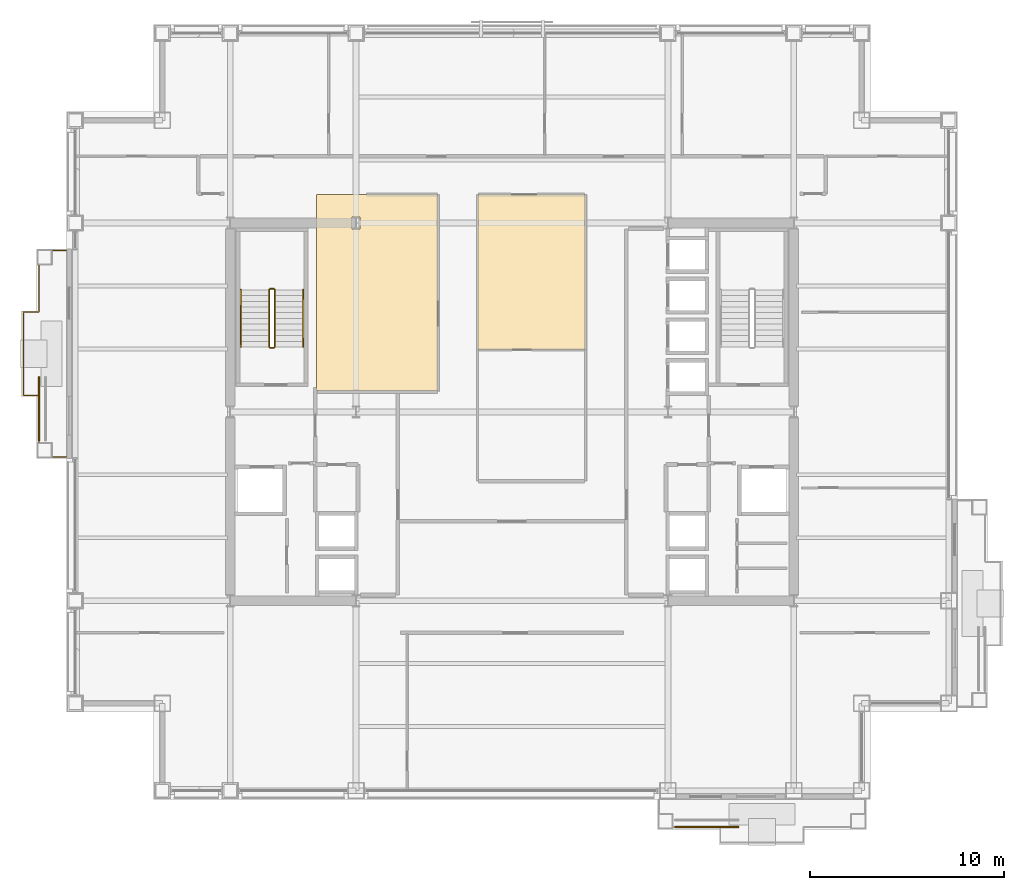
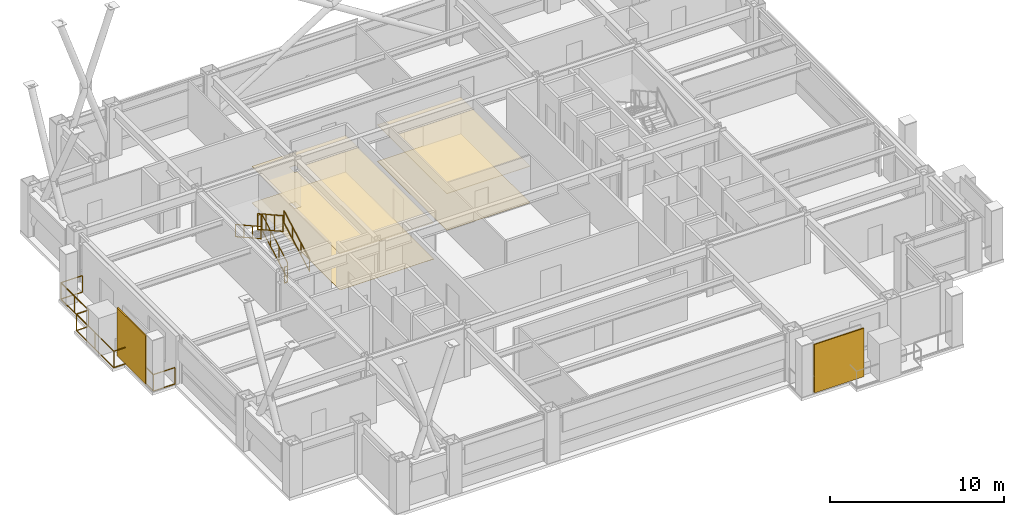
# One storey, part 30 of 32: 7 railings, 4 coverings, 2 shading devices.
"""IFC4 building model written with IfcOpenShell, lengths in metres."""

import ifcopenshell
import ifcopenshell.guid

model = None  # the IFC model being written
_history = None  # IfcOwnerHistory: only IFC2X3 demands one
_inside = {}  # id of a spatial element -> (the spatial element, [elements in it])
_under = {}  # id of a project, library or spatial element -> (it, [spatial elements below it])
_declared = {}  # id of a project -> (the project, [libraries it declares])
_typed = {}  # id of a type object -> (the type object, [elements of that type])
_made_of = {}  # id of a material, layer set ... -> (it, [elements and type objects made of it])


def new_model(schema):
    """Start an empty IFC model of exactly this schema.

    Asked for "IFC4X3", IfcOpenShell would pick the latest addendum, in which some entities
    have other attributes; the version numbers below select the first issue.
    IFC2X3 requires an IfcOwnerHistory on every rooted entity: one is made here for all.
    """
    global model, _history
    if schema == "IFC4X3":
        model = ifcopenshell.file(schema_version=(4, 3, 0, 0))
    else:
        model = ifcopenshell.file(schema=schema)
    _inside.clear()
    _under.clear()
    _declared.clear()
    _typed.clear()
    _made_of.clear()
    _history = None
    if model.schema == "IFC2X3":
        org = make("IfcOrganization", Name="unknown")
        user = make(
            "IfcPersonAndOrganization",
            ThePerson=make("IfcPerson", FamilyName="unknown"),
            TheOrganization=org,
        )
        app = make(
            "IfcApplication",
            ApplicationDeveloper=org,
            Version="unknown",
            ApplicationFullName="unknown",
            ApplicationIdentifier="unknown",
        )
        _history = make(
            "IfcOwnerHistory",
            OwningUser=user,
            OwningApplication=app,
            ChangeAction="ADDED",
            CreationDate=0,
        )
    return model


def make(cls, **values):
    """One entity of the class cls with the attributes given. An attribute that is None is left unset."""
    return model.create_entity(
        cls, **{name: value for name, value in values.items() if value is not None}
    )


def rooted(cls, **values):
    """An entity with a GlobalId (a new one), such as an element, a storey or a relation."""
    return make(cls, GlobalId=ifcopenshell.guid.new(), OwnerHistory=_history, **values)


def si_unit(unit_type, name, prefix=None):
    """IfcSIUnit, for example si_unit("LENGTHUNIT", "METRE", prefix="MILLI")."""
    return make("IfcSIUnit", UnitType=unit_type, Prefix=prefix, Name=name)


def assignment(units):
    """IfcUnitAssignment: the units of a project."""
    return None if units is None else make("IfcUnitAssignment", Units=units)


def point(xyz):
    """IfcCartesianPoint."""
    return None if xyz is None else make("IfcCartesianPoint", Coordinates=xyz)


def direction(xyz):
    """IfcDirection."""
    return None if xyz is None else make("IfcDirection", DirectionRatios=xyz)


def frame(location, z_axis=None, x_axis=None):
    """IfcAxis2Placement3D, a coordinate frame: its origin and axes. An axis left out is left unset."""
    return make(
        "IfcAxis2Placement3D",
        Location=point(location),
        Axis=direction(z_axis),
        RefDirection=direction(x_axis),
    )


def frame_2d(location, x_axis=None):
    """IfcAxis2Placement2D, a coordinate frame in the plane: its origin and x axis."""
    return make(
        "IfcAxis2Placement2D", Location=point(location), RefDirection=direction(x_axis)
    )


def origin():
    """The frame at (0, 0, 0) with its axes left unset."""
    return frame((0.0, 0.0, 0.0))


def origin_2d():
    """The frame at (0, 0) in the plane with its x axis left unset."""
    return frame_2d((0.0, 0.0))


def place(relative_to, where):
    """IfcLocalPlacement: puts the frame where relative to a parent placement (None: the world)."""
    return make(
        "IfcLocalPlacement", PlacementRelTo=relative_to, RelativePlacement=where
    )


def context(
    kind, dimensions, precision=None, world=None, true_north=None, identifier=None
):
    """IfcGeometricRepresentationContext, for example the 3D "Model" context."""
    return make(
        "IfcGeometricRepresentationContext",
        ContextIdentifier=identifier,
        ContextType=kind,
        CoordinateSpaceDimension=dimensions,
        Precision=precision,
        WorldCoordinateSystem=world,
        TrueNorth=true_north,
    )


def subcontext(parent, identifier, kind, view, scale=None):
    """IfcGeometricRepresentationSubContext, for example "Body" below "Model"."""
    return make(
        "IfcGeometricRepresentationSubContext",
        ContextIdentifier=identifier,
        ContextType=kind,
        ParentContext=parent,
        TargetScale=scale,
        TargetView=view,
    )


def project(units=None, contexts=None):
    """IfcProject with its units and contexts."""
    return rooted(
        "IfcProject",
        Name="project",
        RepresentationContexts=contexts,
        UnitsInContext=assignment(units),
    )


def spatial(cls, under=None, at=None, **own):
    """A site, building, storey or space (cls), placed at a placement, below another one or the project."""
    s = rooted(cls, ObjectPlacement=at, **own)
    if under is not None:
        _under.setdefault(under.id(), (under, []))[1].append(s)
    return s


def polyline(points):
    """IfcPolyline through the points."""
    return make("IfcPolyline", Points=[point(p) for p in points])


def profile(cls, at=None, kind="AREA", **sizes):
    """A parametric profile (cls). Its sizes go by their IFC names, for example OverallWidth=200.0."""
    return make(cls, ProfileType=kind, Position=at, **sizes)


def rectangle(**sizes):
    """IfcRectangleProfileDef."""
    return profile("IfcRectangleProfileDef", **sizes)


def outline(outer, holes=None, kind="AREA"):
    """IfcArbitraryClosedProfileDef: a profile drawn as a closed curve; with holes, ...WithVoids."""
    if holes is None:
        return make("IfcArbitraryClosedProfileDef", ProfileType=kind, OuterCurve=outer)
    return make(
        "IfcArbitraryProfileDefWithVoids",
        ProfileType=kind,
        OuterCurve=outer,
        InnerCurves=holes,
    )


def extrude(swept, where, along, depth):
    """IfcExtrudedAreaSolid: the profile swept, set in the frame where, extruded along a direction by depth."""
    return make(
        "IfcExtrudedAreaSolid",
        SweptArea=swept,
        Position=where,
        ExtrudedDirection=direction(along),
        Depth=depth,
    )


def shape(context_of_items, identifier, shape_type, items):
    """IfcShapeRepresentation: the items that make up one representation, for example the "Body"."""
    return make(
        "IfcShapeRepresentation",
        ContextOfItems=context_of_items,
        RepresentationIdentifier=identifier,
        RepresentationType=shape_type,
        Items=items,
    )


def material(Name=None, Category=None):
    """IfcMaterial."""
    return make("IfcMaterial", Name=Name, Category=Category)


def layer(
    of_material, thickness, ventilated=None, Name=None, Category=None, Priority=None
):
    """IfcMaterialLayer: one layer of a wall or slab, of a material (None: an air gap)."""
    return make(
        "IfcMaterialLayer",
        Material=of_material,
        LayerThickness=thickness,
        IsVentilated=ventilated,
        Name=Name,
        Category=Category,
        Priority=Priority,
    )


def layer_set(layers, Name=None):
    """IfcMaterialLayerSet."""
    return make("IfcMaterialLayerSet", MaterialLayers=layers, LayerSetName=Name)


def made_of(thing, what):
    """Note that an element or type object is made of a material, layer set ...; save() writes the relation."""
    if what is not None:
        _made_of.setdefault(what.id(), (what, []))[1].append(thing)
    return thing


def type_object(cls, material=None, **own):
    """A type object (cls), such as IfcWallType, which elements share."""
    return made_of(rooted(cls, **own), material)


def element(
    cls,
    number,
    at=None,
    inside=None,
    cuts=None,
    type_object=None,
    material=None,
    context=None,
    identifier="Body",
    shape_type=None,
    held_by="IfcProductDefinitionShape",
    body=None,
    shapes=None,
    **own,
):
    """One element of the class cls, such as IfcWall. Its Tag is "e" and its number.

    at: its placement. inside: the storey or other place that contains it. cuts: it is an
    opening in that element (IfcRelVoidsElement). A single representation is given by context,
    identifier, shape_type and body (its items); several are given by shapes. held_by: the class
    of the entity that holds the representations. save() writes the other relations.
    """
    e = rooted(cls, Tag="e%d" % number, ObjectPlacement=at, **own)
    if body is not None:
        shapes = [shape(context, identifier, shape_type, body)]
    if shapes is not None:
        e.Representation = make(held_by, Representations=shapes)
    if inside is not None:
        _inside.setdefault(inside.id(), (inside, []))[1].append(e)
    if cuts is not None:
        rooted(
            "IfcRelVoidsElement", RelatingBuildingElement=cuts, RelatedOpeningElement=e
        )
    if type_object is not None:
        _typed.setdefault(type_object.id(), (type_object, []))[1].append(e)
    return made_of(e, material)


def aggregate(whole, parts):
    """IfcRelAggregates: a whole, such as a stair, and the parts it consists of."""
    return rooted("IfcRelAggregates", RelatingObject=whole, RelatedObjects=parts)


def save(model, path):
    """Write the relations noted so far, then the file.

    IfcRelAggregates (storeys below a building ...), IfcRelContainedInSpatialStructure (elements
    in a storey), IfcRelDefinesByType, IfcRelAssociatesMaterial and IfcRelDeclares: one each for
    every whole, place, type object, material and project.
    """
    for whole, parts in _under.values():
        aggregate(whole, parts)
    for where, things in _inside.values():
        rooted(
            "IfcRelContainedInSpatialStructure",
            RelatedElements=things,
            RelatingStructure=where,
        )
    for kind, things in _typed.values():
        rooted("IfcRelDefinesByType", RelatedObjects=things, RelatingType=kind)
    for what, things in _made_of.values():
        rooted("IfcRelAssociatesMaterial", RelatedObjects=things, RelatingMaterial=what)
    for by, libraries in _declared.values():
        rooted("IfcRelDeclares", RelatingContext=by, RelatedDefinitions=libraries)
    model.write(path)


model = new_model("IFC4")

# Units and contexts
model_context = context("Model", 3, precision=1e-05, world=origin(), true_north=direction((0.0, 1.0)))
body_context = subcontext(model_context, "Body", "Model", "MODEL_VIEW")
ifc_project = project(units=[si_unit("LENGTHUNIT", "METRE"), si_unit("AREAUNIT", "SQUARE_METRE"), si_unit("VOLUMEUNIT", "CUBIC_METRE"), si_unit("PLANEANGLEUNIT", "RADIAN"), si_unit("MASSUNIT", "GRAM", prefix="KILO")], contexts=[model_context])

# Site, building, storey
site_placement = place(None, origin())
site = spatial("IfcSite", under=ifc_project, at=site_placement, CompositionType="ELEMENT")
building_placement = place(site_placement, origin())
building = spatial("IfcBuilding", under=site, at=building_placement, Name="Brelmoor Portico Tower", CompositionType="ELEMENT")
storey_placement = place(building_placement, frame((0.0, 0.0, 109.800048828125)))
storey = spatial("IfcBuildingStorey", under=building, at=storey_placement, Name="L28", CompositionType="ELEMENT", Elevation=109.800048828125)

# Coverings
ifc_material_1 = material(Name="Perforated Mineral-Fibre Acoustic Ceiling Tile", Category="gypsum")
ifc_layer_1 = layer(ifc_material_1, 0.02490234375)
ifc_layer_set_1 = layer_set([ifc_layer_1], Name="Perforated Mineral-Fibre Acoustic Ceiling Tile")
covering_type_1 = type_object("IfcCoveringType", Name="CV-CEIL-GYPSUM-25", PredefinedType="CEILING", material=ifc_layer_set_1)
covering_1_placement = place(storey_placement, frame((0.0, 0.0, 2.550048828125)))
element("IfcCovering", 1, at=covering_1_placement, inside=storey, type_object=covering_type_1, Name="L28 Acoustic Suspended Ceiling 01", PredefinedType="CEILING", context=body_context, shape_type="SweptSolid", body=[
    extrude(outline(polyline([(-10.080078125, 11.2099609375), (-3.840087890625, 11.2099609375), (-3.840087890625, 1.090087890625), (-10.080078125, 1.090087890625), (-10.080078125, 11.2099609375)]), holes=[polyline([(-7.85009765625, 9.449951171875), (-7.85009765625, 10.050048828125), (-8.25, 10.050048828125), (-8.25, 9.449951171875), (-7.85009765625, 9.449951171875)])]), origin(), (0.0, 0.0, 1.0), 0.02490234375),
])
ifc_material_2 = material(Name="Micro-Perforated Aluminium Clip-In Ceiling", Category="aluminium")
ifc_layer_2 = layer(ifc_material_2, 0.031982421875)
ifc_layer_set_2 = layer_set([ifc_layer_2], Name="Micro-Perforated Aluminium Clip-In Ceiling")
covering_type_2 = type_object("IfcCoveringType", Name="CV-CEIL-METAL-32", PredefinedType="CEILING", material=ifc_layer_set_2)
covering_2_placement = place(storey_placement, frame((0.0, 0.0, 2.550048828125)))
element("IfcCovering", 2, at=covering_2_placement, inside=storey, type_object=covering_type_2, Name="L28 Acoustic Suspended Ceiling 02", PredefinedType="CEILING", context=body_context, shape_type="SweptSolid", body=[
    extrude(outline(polyline([(-1.760009765625, 3.219970703125), (-1.760009765625, 11.2099609375), (3.780029296875, 11.2099609375), (3.780029296875, 3.219970703125), (-1.760009765625, 3.219970703125)])), origin(), (0.0, 0.0, 1.0), 0.031982421875),
])
ifc_material_3 = material(Name="Rectified Vitrified Porcelain Floor Tile", Category="ceramic")
ifc_layer_3 = layer(ifc_material_3, 0.01806640625)
ifc_layer_set_3 = layer_set([ifc_layer_3], Name="Rectified Vitrified Porcelain Floor Tile")
covering_type_3 = type_object("IfcCoveringType", Name="CV-FLR-PORCELAIN-18", PredefinedType="FLOORING", material=ifc_layer_set_3)
covering_3_placement = place(storey_placement, origin())
element("IfcCovering", 3, at=covering_3_placement, inside=storey, type_object=covering_type_3, Name="L28 Architectural Floor Finish 01", PredefinedType="FLOORING", context=body_context, shape_type="SweptSolid", body=[
    extrude(outline(polyline([(-10.080078125, 11.2099609375), (-3.840087890625, 11.2099609375), (-3.840087890625, 1.090087890625), (-10.080078125, 1.090087890625), (-10.080078125, 11.2099609375)]), holes=[polyline([(-7.85009765625, 9.449951171875), (-7.85009765625, 10.050048828125), (-8.25, 10.050048828125), (-8.25, 9.449951171875), (-7.85009765625, 9.449951171875)])]), origin(), (0.0, 0.0, 1.0), 0.01806640625),
])
ifc_material_4 = material(Name="Engineered Quarter-Sawn Oak Parquet Flooring", Category="timber")
ifc_layer_4 = layer(ifc_material_4, 0.02197265625)
ifc_layer_set_4 = layer_set([ifc_layer_4], Name="Engineered Quarter-Sawn Oak Parquet Flooring")
covering_type_4 = type_object("IfcCoveringType", Name="CV-FLR-TIMBER-22", PredefinedType="FLOORING", material=ifc_layer_set_4)
covering_4_placement = place(storey_placement, origin())
element("IfcCovering", 4, at=covering_4_placement, inside=storey, type_object=covering_type_4, Name="L28 Architectural Floor Finish 02", PredefinedType="FLOORING", context=body_context, shape_type="SweptSolid", body=[
    extrude(outline(polyline([(-1.760009765625, 3.219970703125), (-1.760009765625, 11.2099609375), (3.780029296875, 11.2099609375), (3.780029296875, 3.219970703125), (-1.760009765625, 3.219970703125)])), origin(), (0.0, 0.0, 1.0), 0.02197265625),
])

# Railings
ifc_material_5 = material(Name="Perforated Pale Champagne Aluminium Fretwork Guard", Category="aluminium")
railing_type_1 = type_object("IfcRailingType", Name="RL-BALUSTRADE-1200", PredefinedType="BALUSTRADE", material=ifc_material_5)
railing_1_placement = place(storey_placement, frame((-23.0, -2.320068359375, 0.0)))
element("IfcRailing", 5, at=railing_1_placement, inside=storey, type_object=railing_type_1, Name="L28 Tree Balcony Fretwork Balustrade W", PredefinedType="BALUSTRADE", context=body_context, shape_type="SweptSolid", body=[
    extrude(rectangle(XDim=0.048095703125, YDim=0.048095703125, at=origin_2d()), frame((0.0, 0.0, 1.17578125), z_axis=(-1.0, 0.0, 0.0), x_axis=(0.0, -1.0, 0.0)), (0.0, 0.0, 1.0), 1.429931640625),
    extrude(rectangle(XDim=0.048095703125, YDim=0.048095703125, at=origin_2d()), frame((0.0, 0.0, 0.02392578125), z_axis=(-1.0, 0.0, 0.0), x_axis=(0.0, -1.0, 0.0)), (0.0, 0.0, 1.0), 1.429931640625),
    extrude(rectangle(XDim=0.048095703125, YDim=0.048095703125, at=origin_2d()), frame((-1.429931640625, 0.0, 1.17578125), z_axis=(0.0, 1.0, 0.0), x_axis=(-1.0, 0.0, 0.0)), (0.0, 0.0, 1.0), 3.170166015625),
    extrude(rectangle(XDim=0.048095703125, YDim=0.048095703125, at=origin_2d()), frame((-1.429931640625, 0.0, 0.02392578125), z_axis=(0.0, 1.0, 0.0), x_axis=(-1.0, 0.0, 0.0)), (0.0, 0.0, 1.0), 3.170166015625),
    extrude(rectangle(XDim=0.048095703125, YDim=0.048095703125, at=origin_2d()), frame((-1.429931640625, 3.170166015625, 1.17578125), z_axis=(-1.0, 0.0, 0.0), x_axis=(0.0, -1.0, 0.0)), (0.0, 0.0, 1.0), 0.800048828125),
    extrude(rectangle(XDim=0.048095703125, YDim=0.048095703125, at=origin_2d()), frame((-1.429931640625, 3.170166015625, 0.02392578125), z_axis=(-1.0, 0.0, 0.0), x_axis=(0.0, -1.0, 0.0)), (0.0, 0.0, 1.0), 0.800048828125),
    extrude(rectangle(XDim=0.048095703125, YDim=0.048095703125, at=origin_2d()), frame((-2.22998046875, 3.170166015625, 1.17578125), z_axis=(0.0, 1.0, 0.0), x_axis=(-1.0, 0.0, 0.0)), (0.0, 0.0, 1.0), 4.2998046875),
    extrude(rectangle(XDim=0.048095703125, YDim=0.048095703125, at=origin_2d()), frame((-2.22998046875, 3.170166015625, 0.02392578125), z_axis=(0.0, 1.0, 0.0), x_axis=(-1.0, 0.0, 0.0)), (0.0, 0.0, 1.0), 4.2998046875),
    extrude(rectangle(XDim=0.048095703125, YDim=0.048095703125, at=origin_2d()), frame((-2.22998046875, 7.469970703125, 1.17578125), z_axis=(1.0, 0.0, 0.0), x_axis=(0.0, 1.0, 0.0)), (0.0, 0.0, 1.0), 0.800048828125),
    extrude(rectangle(XDim=0.048095703125, YDim=0.048095703125, at=origin_2d()), frame((-2.22998046875, 7.469970703125, 0.02392578125), z_axis=(1.0, 0.0, 0.0), x_axis=(0.0, 1.0, 0.0)), (0.0, 0.0, 1.0), 0.800048828125),
    extrude(rectangle(XDim=0.048095703125, YDim=0.048095703125, at=origin_2d()), frame((-1.429931640625, 7.469970703125, 1.17578125), z_axis=(0.0, 1.0, 0.0), x_axis=(-1.0, 0.0, 0.0)), (0.0, 0.0, 1.0), 3.170166015625),
    extrude(rectangle(XDim=0.048095703125, YDim=0.048095703125, at=origin_2d()), frame((-1.429931640625, 7.469970703125, 0.02392578125), z_axis=(0.0, 1.0, 0.0), x_axis=(-1.0, 0.0, 0.0)), (0.0, 0.0, 1.0), 3.170166015625),
    extrude(rectangle(XDim=0.048095703125, YDim=0.048095703125, at=origin_2d()), frame((-1.429931640625, 10.64013671875, 1.17578125), z_axis=(1.0, 0.0, 0.0), x_axis=(0.0, 1.0, 0.0)), (0.0, 0.0, 1.0), 1.429931640625),
    extrude(rectangle(XDim=0.048095703125, YDim=0.048095703125, at=origin_2d()), frame((-1.429931640625, 10.64013671875, 0.02392578125), z_axis=(1.0, 0.0, 0.0), x_axis=(0.0, 1.0, 0.0)), (0.0, 0.0, 1.0), 1.429931640625),
    extrude(rectangle(XDim=0.0419921875, YDim=0.0419921875, at=origin_2d()), origin(), (0.0, 0.0, 1.0), 1.15185546875),
    extrude(rectangle(XDim=0.0419921875, YDim=0.0419921875, at=origin_2d()), frame((-1.429931640625, 0.0, 0.0)), (0.0, 0.0, 1.0), 1.15185546875),
    extrude(rectangle(XDim=0.0419921875, YDim=0.0419921875, at=origin_2d()), frame((-1.429931640625, 1.5849609375, 0.0)), (0.0, 0.0, 1.0), 1.15185546875),
    extrude(rectangle(XDim=0.0419921875, YDim=0.0419921875, at=origin_2d()), frame((-1.429931640625, 3.170166015625, 0.0)), (0.0, 0.0, 1.0), 1.15185546875),
    extrude(rectangle(XDim=0.0419921875, YDim=0.0419921875, at=origin_2d()), frame((-2.22998046875, 3.170166015625, 0.0)), (0.0, 0.0, 1.0), 1.15185546875),
    extrude(rectangle(XDim=0.0419921875, YDim=0.0419921875, at=origin_2d()), frame((-2.22998046875, 5.320068359375, 0.0)), (0.0, 0.0, 1.0), 1.15185546875),
    extrude(rectangle(XDim=0.0419921875, YDim=0.0419921875, at=origin_2d()), frame((-2.22998046875, 7.469970703125, 0.0)), (0.0, 0.0, 1.0), 1.15185546875),
    extrude(rectangle(XDim=0.0419921875, YDim=0.0419921875, at=origin_2d()), frame((-1.429931640625, 7.469970703125, 0.0)), (0.0, 0.0, 1.0), 1.15185546875),
    extrude(rectangle(XDim=0.0419921875, YDim=0.0419921875, at=origin_2d()), frame((-1.429931640625, 9.05517578125, 0.0)), (0.0, 0.0, 1.0), 1.15185546875),
    extrude(rectangle(XDim=0.0419921875, YDim=0.0419921875, at=origin_2d()), frame((-1.429931640625, 10.64013671875, 0.0)), (0.0, 0.0, 1.0), 1.15185546875),
    extrude(rectangle(XDim=0.0419921875, YDim=0.0419921875, at=origin_2d()), frame((0.0, 10.64013671875, 0.0)), (0.0, 0.0, 1.0), 1.15185546875),
])
ifc_material_6 = material(Name="Painted Tubular Steel Q235B", Category="steel")
railing_type_2 = type_object("IfcRailingType", Name="RL-STAIR-GUARD", PredefinedType="GUARDRAIL", material=ifc_material_6)
railing_2_placement = place(storey_placement, frame((-12.239990234375, 3.35009765625, 0.16357421875)))
element("IfcRailing", 6, at=railing_2_placement, inside=storey, type_object=railing_type_2, Name="L28 ST-W stair guard 1", PredefinedType="GUARDRAIL", context=body_context, shape_type="SweptSolid", body=[
    extrude(rectangle(XDim=0.048095703125, YDim=0.048095703125, at=origin_2d()), frame((0.0, 0.0, 1.1259765625), z_axis=(0.0, 0.874457516365, 0.485102104791), x_axis=(-1.0, 0.0, 0.0)), (0.0, 0.0, 1.0), 3.37353515625),
    extrude(rectangle(XDim=0.048095703125, YDim=0.048095703125, at=origin_2d()), frame((0.0, 0.0, 0.02392578125), z_axis=(0.0, 0.874457516365, 0.485102104791), x_axis=(-1.0, 0.0, 0.0)), (0.0, 0.0, 1.0), 3.37353515625),
    extrude(rectangle(XDim=0.0419921875, YDim=0.0419921875, at=origin_2d()), origin(), (0.0, 0.0, 1.0), 1.101806640625),
    extrude(rectangle(XDim=0.0419921875, YDim=0.0419921875, at=origin_2d()), frame((0.0, 0.9833984375, 0.54541015625)), (0.0, 0.0, 1.0), 1.101806640625),
    extrude(rectangle(XDim=0.0419921875, YDim=0.0419921875, at=origin_2d()), frame((0.0, 1.966552734375, 1.091064453125)), (0.0, 0.0, 1.0), 1.101806640625),
    extrude(rectangle(XDim=0.0419921875, YDim=0.0419921875, at=origin_2d()), frame((0.0, 2.949951171875, 1.636474609375)), (0.0, 0.0, 1.0), 1.101806640625),
])
railing_3_placement = place(storey_placement, frame((-12.2900390625, 6.35009765625, 1.800048828125)))
element("IfcRailing", 7, at=railing_3_placement, inside=storey, type_object=railing_type_2, Name="L28 ST-W stair guard 2", PredefinedType="GUARDRAIL", context=body_context, shape_type="SweptSolid", body=[
    extrude(rectangle(XDim=0.048095703125, YDim=0.048095703125, at=origin_2d()), frame((0.0, 0.0, 1.1259765625), z_axis=(-1.0, 0.0, 0.0), x_axis=(0.0, -1.0, 0.0)), (0.0, 0.0, 1.0), 0.199951171875),
    extrude(rectangle(XDim=0.048095703125, YDim=0.048095703125, at=origin_2d()), frame((0.0, 0.0, 0.02392578125), z_axis=(-1.0, 0.0, 0.0), x_axis=(0.0, -1.0, 0.0)), (0.0, 0.0, 1.0), 0.199951171875),
    extrude(rectangle(XDim=0.0419921875, YDim=0.0419921875, at=origin_2d()), origin(), (0.0, 0.0, 1.0), 1.101806640625),
    extrude(rectangle(XDim=0.0419921875, YDim=0.0419921875, at=origin_2d()), frame((-0.199951171875, 0.0, 0.0)), (0.0, 0.0, 1.0), 1.101806640625),
])
railing_4_placement = place(storey_placement, frame((-12.5400390625, 6.300048828125, 1.963623046875)))
element("IfcRailing", 8, at=railing_4_placement, inside=storey, type_object=railing_type_2, Name="L28 ST-W stair guard 3", PredefinedType="GUARDRAIL", context=body_context, shape_type="SweptSolid", body=[
    extrude(rectangle(XDim=0.048095703125, YDim=0.048095703125, at=origin_2d()), frame((0.0, 0.0, 1.1259765625), z_axis=(0.0, -0.87448821551, 0.485046761595), x_axis=(1.0, 0.0, 0.0)), (0.0, 0.0, 1.0), 3.373291015625),
    extrude(rectangle(XDim=0.048095703125, YDim=0.048095703125, at=origin_2d()), frame((0.0, 0.0, 0.02392578125), z_axis=(0.0, -0.87448821551, 0.485046761595), x_axis=(1.0, 0.0, 0.0)), (0.0, 0.0, 1.0), 3.373291015625),
    extrude(rectangle(XDim=0.0419921875, YDim=0.0419921875, at=origin_2d()), origin(), (0.0, 0.0, 1.0), 1.101806640625),
    extrude(rectangle(XDim=0.0419921875, YDim=0.0419921875, at=origin_2d()), frame((0.0, -0.9833984375, 0.54541015625)), (0.0, 0.0, 1.0), 1.101806640625),
    extrude(rectangle(XDim=0.0419921875, YDim=0.0419921875, at=origin_2d()), frame((0.0, -1.966552734375, 1.0908203125)), (0.0, 0.0, 1.0), 1.101806640625),
    extrude(rectangle(XDim=0.0419921875, YDim=0.0419921875, at=origin_2d()), frame((0.0, -2.949951171875, 1.63623046875)), (0.0, 0.0, 1.0), 1.101806640625),
])
railing_5_placement = place(storey_placement, frame((-12.2900390625, 3.300048828125, 0.0)))
element("IfcRailing", 9, at=railing_5_placement, inside=storey, type_object=railing_type_2, Name="L28 ST-W stair guard 4", PredefinedType="GUARDRAIL", context=body_context, shape_type="SweptSolid", body=[
    extrude(rectangle(XDim=0.048095703125, YDim=0.048095703125, at=origin_2d()), frame((0.0, 0.0, 1.1259765625), z_axis=(-1.0, 0.0, 0.0), x_axis=(0.0, -1.0, 0.0)), (0.0, 0.0, 1.0), 0.199951171875),
    extrude(rectangle(XDim=0.048095703125, YDim=0.048095703125, at=origin_2d()), frame((0.0, 0.0, 0.02392578125), z_axis=(-1.0, 0.0, 0.0), x_axis=(0.0, -1.0, 0.0)), (0.0, 0.0, 1.0), 0.199951171875),
    extrude(rectangle(XDim=0.0419921875, YDim=0.0419921875, at=origin_2d()), origin(), (0.0, 0.0, 1.0), 1.101806640625),
    extrude(rectangle(XDim=0.0419921875, YDim=0.0419921875, at=origin_2d()), frame((-0.199951171875, 0.0, 0.0)), (0.0, 0.0, 1.0), 1.101806640625),
])
ifc_material_7 = material(Name="Brushed Stainless Steel 304", Category="steel")
railing_type_3 = type_object("IfcRailingType", Name="RL-STAIR-HANDRAIL", PredefinedType="HANDRAIL", material=ifc_material_7)
railing_6_placement = place(storey_placement, frame((-10.780029296875, 3.35009765625, 0.16357421875)))
element("IfcRailing", 10, at=railing_6_placement, inside=storey, type_object=railing_type_3, Name="L28 ST-W stair handrail 1", PredefinedType="HANDRAIL", context=body_context, shape_type="SweptSolid", body=[
    extrude(rectangle(XDim=0.048095703125, YDim=0.048095703125, at=origin_2d()), frame((0.0, 0.0, 0.8759765625), z_axis=(0.0, 0.874457516365, 0.485102104791), x_axis=(-1.0, 0.0, 0.0)), (0.0, 0.0, 1.0), 3.37353515625),
    extrude(rectangle(XDim=0.048095703125, YDim=0.048095703125, at=origin_2d()), frame((0.0, 0.0, 0.02392578125), z_axis=(0.0, 0.874457516365, 0.485102104791), x_axis=(-1.0, 0.0, 0.0)), (0.0, 0.0, 1.0), 3.37353515625),
    extrude(rectangle(XDim=0.0419921875, YDim=0.0419921875, at=origin_2d()), origin(), (0.0, 0.0, 1.0), 0.851806640625),
    extrude(rectangle(XDim=0.0419921875, YDim=0.0419921875, at=origin_2d()), frame((0.0, 0.9833984375, 0.54541015625)), (0.0, 0.0, 1.0), 0.851806640625),
    extrude(rectangle(XDim=0.0419921875, YDim=0.0419921875, at=origin_2d()), frame((0.0, 1.966552734375, 1.091064453125)), (0.0, 0.0, 1.0), 0.851806640625),
    extrude(rectangle(XDim=0.0419921875, YDim=0.0419921875, at=origin_2d()), frame((0.0, 2.949951171875, 1.636474609375)), (0.0, 0.0, 1.0), 0.851806640625),
])
railing_7_placement = place(storey_placement, frame((-14.0, 6.300048828125, 1.963623046875)))
element("IfcRailing", 11, at=railing_7_placement, inside=storey, type_object=railing_type_3, Name="L28 ST-W stair handrail 2", PredefinedType="HANDRAIL", context=body_context, shape_type="SweptSolid", body=[
    extrude(rectangle(XDim=0.048095703125, YDim=0.048095703125, at=origin_2d()), frame((0.0, 0.0, 0.8759765625), z_axis=(0.0, -0.87448821551, 0.485046761595), x_axis=(1.0, 0.0, 0.0)), (0.0, 0.0, 1.0), 3.373291015625),
    extrude(rectangle(XDim=0.048095703125, YDim=0.048095703125, at=origin_2d()), frame((0.0, 0.0, 0.02392578125), z_axis=(0.0, -0.87448821551, 0.485046761595), x_axis=(1.0, 0.0, 0.0)), (0.0, 0.0, 1.0), 3.373291015625),
    extrude(rectangle(XDim=0.0419921875, YDim=0.0419921875, at=origin_2d()), origin(), (0.0, 0.0, 1.0), 0.851806640625),
    extrude(rectangle(XDim=0.0419921875, YDim=0.0419921875, at=origin_2d()), frame((0.0, -0.9833984375, 0.54541015625)), (0.0, 0.0, 1.0), 0.851806640625),
    extrude(rectangle(XDim=0.0419921875, YDim=0.0419921875, at=origin_2d()), frame((0.0, -1.966552734375, 1.0908203125)), (0.0, 0.0, 1.0), 0.851806640625),
    extrude(rectangle(XDim=0.0419921875, YDim=0.0419921875, at=origin_2d()), frame((0.0, -2.949951171875, 1.63623046875)), (0.0, 0.0, 1.0), 0.851806640625),
])

# Shading devices
ifc_material_8 = material(Name="Powder-Coated Aluminium Shuttered Jalousie", Category="aluminium")
ifc_layer_5 = layer(ifc_material_8, 0.080078125)
ifc_layer_set_5 = layer_set([ifc_layer_5], Name="Powder-Coated Aluminium Shuttered Jalousie")
shading_device_type = type_object("IfcShadingDeviceType", Name="SD-JALOUSIE-LOGGIA", PredefinedType="JALOUSIE", material=ifc_layer_set_5)
for number, where, z_axis, x_axis, name in (
    (12, (10.050048828125, -21.429931640625, 0.0), (0.0, 0.0, 1.0), (1.0, 0.0, 0.0), "L28 Loggia Shuttered Jalousie S"),
    (13, (-24.429931640625, 0.14990234375, 0.0), (0.0, 0.0, 1.0), (0.0, 1.0, 0.0), "L28 Loggia Shuttered Jalousie W"),
):
    element("IfcShadingDevice", number, at=place(storey_placement, frame(where, z_axis=z_axis, x_axis=x_axis)), inside=storey, type_object=shading_device_type, Name=name, PredefinedType="JALOUSIE", context=body_context, shape_type="SweptSolid", body=[
        extrude(rectangle(XDim=3.300048828125, YDim=0.080078125, at=origin_2d()), origin(), (0.0, 0.0, 1.0), 3.39990234375),
    ])

save(model, "model.ifc")
